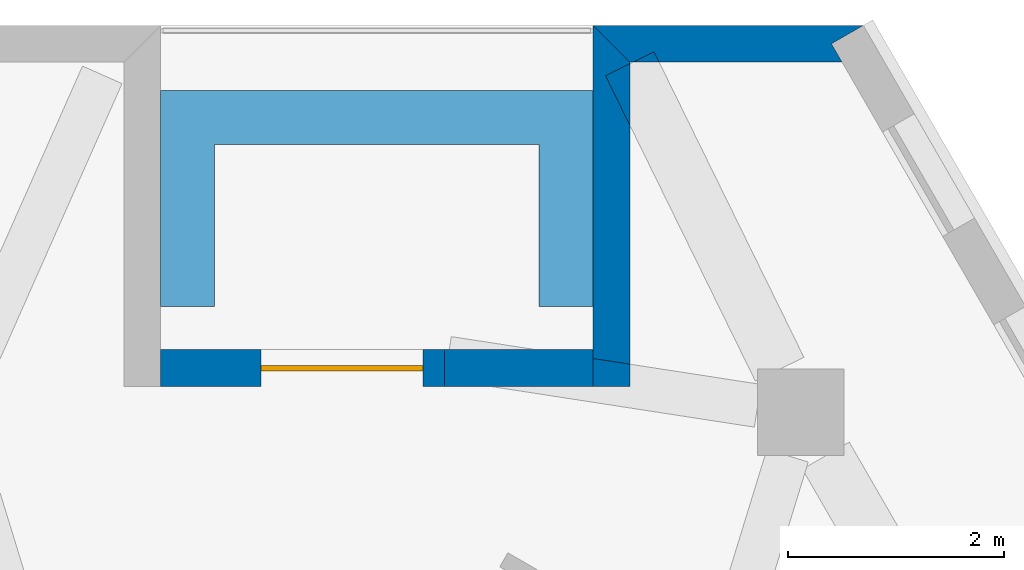
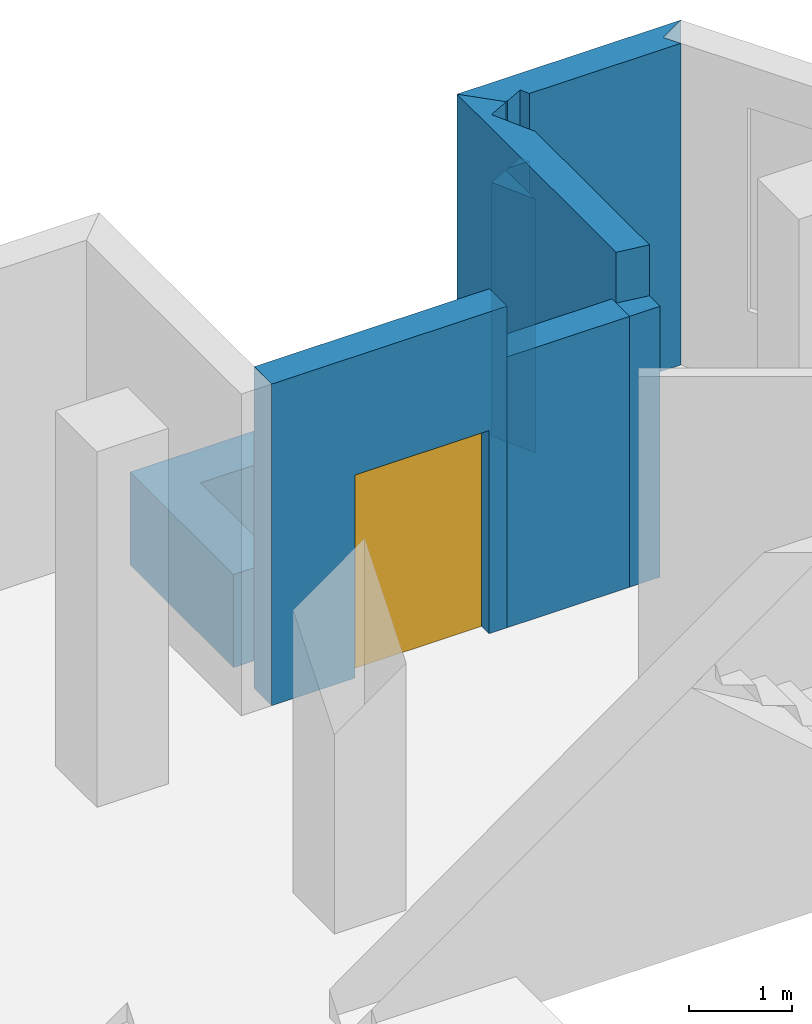
# One storey, part 7 of 9: 8 walls, 1 door, 1 opening.
"""IFC4 building model written with IfcOpenShell, lengths in metres."""

from ifc_helpers import new_model, si_unit, direction, frame, frame_2d, origin, place, context, subcontext, project, spatial, polyline, rectangle, outline, extrude, material, layer, layer_set, type_object, element, fill, save


model = new_model("IFC4")

# Units and contexts
model_context = context("Model", 3, precision=1e-05, world=origin(), true_north=direction((0.0, 1.0)))
body_context = subcontext(model_context, "Body", "Model", "MODEL_VIEW")
ifc_project = project(units=[si_unit("LENGTHUNIT", "METRE"), si_unit("AREAUNIT", "SQUARE_METRE"), si_unit("VOLUMEUNIT", "CUBIC_METRE"), si_unit("PLANEANGLEUNIT", "RADIAN"), si_unit("MASSUNIT", "GRAM", prefix="KILO")], contexts=[model_context])

# Site, building, storey
site_placement = place(None, origin())
site = spatial("IfcSite", under=ifc_project, at=site_placement, CompositionType="ELEMENT")
building_placement = place(site_placement, origin())
building = spatial("IfcBuilding", under=site, at=building_placement, Name="Fogline Exchange Tower", CompositionType="ELEMENT")
storey_placement = place(building_placement, frame((0.0, 0.0, 279.300048828125)))
storey = spatial("IfcBuildingStorey", under=building, at=storey_placement, Name="L63", CompositionType="ELEMENT", Elevation=279.300048828125)

# Walls
ifc_material_1 = material(Name="Brick masonry", Category="masonry")
ifc_layer_1 = layer(ifc_material_1, 0.340087890625)
ifc_layer_set_1 = layer_set([ifc_layer_1], Name="FW1")
wall_type_1 = type_object("IfcWallType", Name="FW1", PredefinedType="SOLIDWALL", material=ifc_layer_set_1)
wall_1_placement = place(storey_placement, origin())
element("IfcWall", 1, at=wall_1_placement, inside=storey, type_object=wall_type_1, Name="Brick wall L63 N-c1", PredefinedType="SOLIDWALL", context=body_context, shape_type="SweptSolid", body=[
    extrude(outline(polyline([(2.368408203125, 43.696044921875), (2.564453125, 43.792236328125), (2.611572265625, 43.696044921875), (2.368408203125, 43.696044921875)])), origin(), (0.0, 0.0, 1.0), 3.0),
])
wall_2_placement = place(storey_placement, origin())
element("IfcWall", 2, at=wall_2_placement, inside=storey, type_object=wall_type_1, Name="Brick wall L63 N-c1", PredefinedType="SOLIDWALL", context=body_context, shape_type="SweptSolid", body=[
    extrude(outline(polyline([(4.5009765625, 44.037353515625), (4.501220703125, 44.03662109375), (4.206298828125, 43.866455078125), (4.3046875, 43.696044921875), (2.611572265625, 43.696044921875), (2.564453125, 43.792236328125), (2.368408203125, 43.696044921875), (2.33984375, 43.696044921875), (1.998779296875, 44.036865234375), (1.9990234375, 44.037353515625), (4.5009765625, 44.037353515625)])), origin(), (0.0, 0.0, 1.0), 3.800048828125),
])
wall_3_placement = place(storey_placement, origin())
element("IfcWall", 3, at=wall_3_placement, inside=storey, type_object=wall_type_1, Name="Brick wall L63 N-s1", PredefinedType="SOLIDWALL", context=body_context, shape_type="SweptSolid", body=[
    extrude(outline(polyline([(2.340576171875, 43.11328125), (2.115478515625, 43.572021484375), (2.340576171875, 43.682373046875), (2.340576171875, 43.11328125)])), origin(), (0.0, 0.0, 1.0), 3.0),
])
wall_4_placement = place(storey_placement, origin())
element("IfcWall", 4, at=wall_4_placement, inside=storey, type_object=wall_type_1, Name="Brick wall L63 N-s1", PredefinedType="SOLIDWALL", context=body_context, shape_type="SweptSolid", body=[
    extrude(outline(polyline([(1.99951171875, 40.955810546875), (2.340576171875, 40.9033203125), (2.340576171875, 40.696044921875), (1.99951171875, 40.696044921875), (1.99951171875, 40.955810546875)])), origin(), (0.0, 0.0, 1.0), 3.199951171875),
])
wall_5_placement = place(storey_placement, origin())
element("IfcWall", 5, at=wall_5_placement, inside=storey, type_object=wall_type_1, Name="Brick wall L63 N-s1", PredefinedType="SOLIDWALL", context=body_context, shape_type="SweptSolid", body=[
    extrude(outline(polyline([(1.99951171875, 44.03759765625), (1.999755859375, 44.037841796875), (2.340576171875, 43.697021484375), (2.340576171875, 43.682373046875), (2.115478515625, 43.572021484375), (2.340576171875, 43.11328125), (2.340576171875, 40.9033203125), (1.99951171875, 40.955810546875), (1.99951171875, 44.03759765625)])), origin(), (0.0, 0.0, 1.0), 3.800048828125),
])
wall_6_placement = place(storey_placement, frame((2.0, 40.86669921875, 0.0), z_axis=(0.0, 0.0, 1.0), x_axis=(-1.0, 0.0, 0.0)))
element("IfcWall", 6, at=wall_6_placement, inside=storey, type_object=wall_type_1, Name="Brick wall L63 N-bk", PredefinedType="SOLIDWALL", context=body_context, shape_type="SweptSolid", body=[
    extrude(rectangle(XDim=1.371826171875, YDim=0.340087890625, at=frame_2d((0.68603515625, 0.0))), origin(), (0.0, 0.0, 1.0), 3.199951171875),
])

# Wall, opening, door
wall_7_placement = place(storey_placement, frame((0.628173828125, 40.86669921875, 0.0), z_axis=(0.0, 0.0, 1.0), x_axis=(-1.0, 0.0, 0.0)))
wall_7 = element("IfcWall", 7, at=wall_7_placement, inside=storey, type_object=wall_type_1, Name="Brick wall L63 N-bk", PredefinedType="SOLIDWALL", context=body_context, shape_type="SweptSolid", body=[
    extrude(rectangle(XDim=2.628173828125, YDim=0.340087890625, at=frame_2d((1.31396484375, 0.0))), origin(), (0.0, 0.0, 1.0), 3.800048828125),
])
opening_placement = place(wall_7_placement, frame((0.199951171875, 0.0, 0.0)))
opening = element("IfcOpeningElement", 8, at=opening_placement, cuts=wall_7, Name="Opening T20-E141", PredefinedType="OPENING", context=body_context, shape_type="SweptSolid", body=[
    extrude(rectangle(XDim=1.5, YDim=2.39990234375, at=frame_2d((0.75, 1.199951171875))), frame((0.0, 0.18017578125, 0.0), z_axis=(0.0, -1.0, 0.0), x_axis=(1.0, 0.0, 0.0)), (0.0, 0.0, 1.0), 0.360107421875),
])
ifc_material_2 = material(Name="Aluminium and glass", Category="aluminium")
door_type = type_object("IfcDoorType", Name="ED4", OperationType="SINGLE_SWING_LEFT", PredefinedType="DOOR", material=ifc_material_2)
door_placement = place(opening_placement, frame((1.5, 0.0, 0.0), z_axis=(0.0, 0.0, 1.0), x_axis=(-1.0, 0.0, 0.0)))
door = element("IfcDoor", 9, at=door_placement, inside=storey, type_object=door_type, Name="Balcony door L63 N", OperationType="DOUBLE_DOOR_SINGLE_SWING", OverallHeight=2.39990234375, OverallWidth=1.5, PredefinedType="DOOR", context=body_context, shape_type="SweptSolid", body=[
    extrude(rectangle(XDim=1.5, YDim=2.39990234375, at=frame_2d((0.75, 1.199951171875))), frame((0.0, 0.02490234375, 0.0), z_axis=(0.0, -1.0, 0.0), x_axis=(1.0, 0.0, 0.0)), (0.0, 0.0, 1.0), 0.050048828125),
])
fill(opening, door)

# Wall
ifc_material_3 = material(Name="Concrete C30", Category="concrete")
ifc_layer_2 = layer(ifc_material_3, 0.199951171875)
ifc_layer_set_2 = layer_set([ifc_layer_2], Name="PL1")
wall_type_2 = type_object("IfcWallType", Name="PL1", PredefinedType="USERDEFINED", material=ifc_layer_set_2)
wall_8_placement = place(storey_placement, origin())
element("IfcWall", 10, at=wall_8_placement, inside=storey, type_object=wall_type_2, Name="PLANTER balcony L63 N", ObjectType="PLANTER", PredefinedType="USERDEFINED", context=body_context, shape_type="SweptSolid", body=[
    extrude(outline(polyline([(-1.5, 43.436767578125), (-2.0, 43.436767578125), (-2.0, 42.936767578125), (-2.0, 41.436767578125), (-1.5, 41.436767578125), (-1.5, 42.936767578125), (1.5, 42.936767578125), (1.5, 41.436767578125), (2.0, 41.436767578125), (2.0, 42.936767578125), (2.0, 43.436767578125), (1.5, 43.436767578125), (-1.5, 43.436767578125)])), origin(), (0.0, 0.0, 1.0), 1.099853515625),
])

save(model, "model.ifc")
